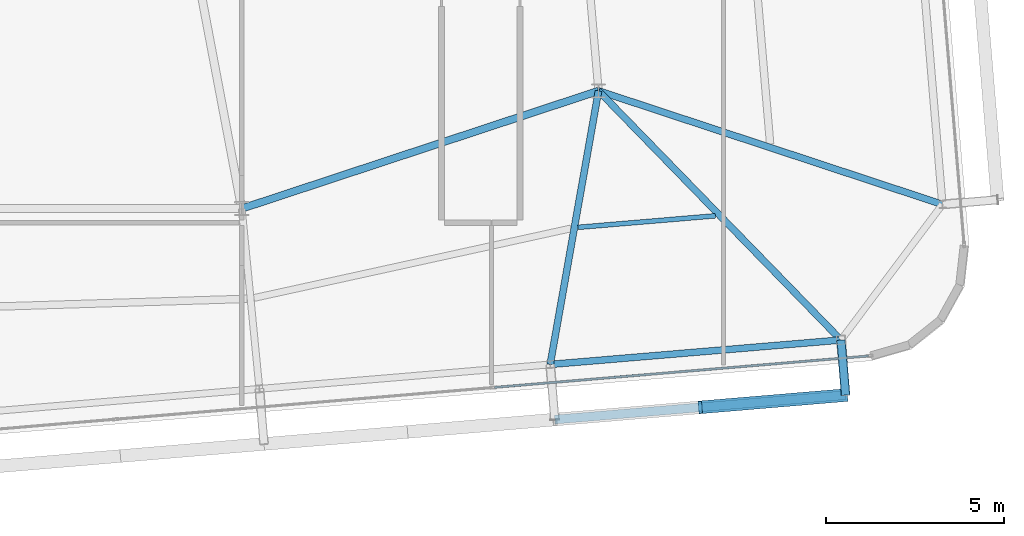
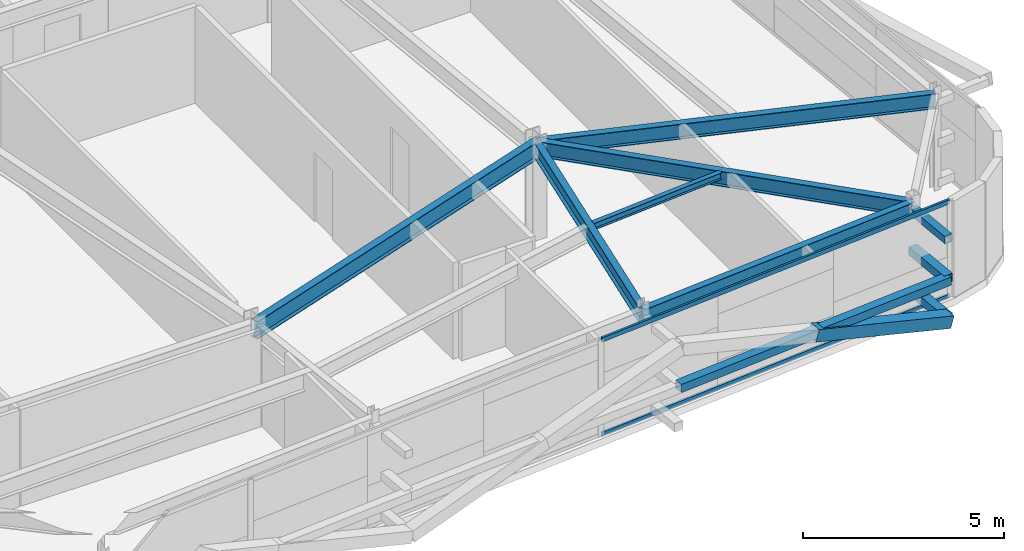
# One storey, part 17 of 39: 7 members, 6 beams, 1 element without a shape of its own.
"""IFC4 building model written with IfcOpenShell, lengths in metres."""

from ifc_helpers import new_model, si_unit, direction, frame, origin, origin_2d, place, context, subcontext, project, spatial, hollow_rectangle, i_section, extrude, source, transform, mapped, material, layer, layer_set, material_profile, profile_set, type_object, element, aggregate, save


model = new_model("IFC4")

# Units and contexts
model_context = context("Model", 3, precision=1e-05, world=origin(), true_north=direction((0.0, 1.0)))
body_context = subcontext(model_context, "Body", "Model", "MODEL_VIEW")
ifc_project = project(units=[si_unit("LENGTHUNIT", "METRE"), si_unit("AREAUNIT", "SQUARE_METRE"), si_unit("VOLUMEUNIT", "CUBIC_METRE"), si_unit("PLANEANGLEUNIT", "RADIAN"), si_unit("MASSUNIT", "GRAM", prefix="KILO")], contexts=[model_context])

# Site, building, storey
site_placement = place(None, origin())
site = spatial("IfcSite", under=ifc_project, at=site_placement, CompositionType="ELEMENT")
building_placement = place(site_placement, origin())
building = spatial("IfcBuilding", under=site, at=building_placement, Name="Taldren Reach Tower", CompositionType="ELEMENT")
storey_placement = place(building_placement, frame((0.0, 0.0, 175.699951171875)))
storey = spatial("IfcBuildingStorey", under=building, at=storey_placement, Name="L53", CompositionType="ELEMENT", Elevation=175.699951171875)

# Beam
ifc_material_1 = material(Name="Steel Gr 350 (350PLUS)", Category="steel")
ifc_material_profile_1 = material_profile(ifc_material_1, i_section(OverallWidth=0.208984375, OverallDepth=0.532958984375, WebThickness=0.01025390625, FlangeThickness=0.015625, at=origin_2d()), Name="530UB92.4")
ifc_profile_set_1 = profile_set([ifc_material_profile_1], Name="Steel Gr 350 (350PLUS)")
beam_type_1 = type_object("IfcBeamType", Name="BM-UB530A", PredefinedType="BEAM", material=ifc_profile_set_1)
shared_shape_1 = source(origin(), body_context, "Body", "SweptSolid", [
    extrude(i_section(OverallWidth=0.208984375, OverallDepth=0.532958984375, WebThickness=0.01025390625, FlangeThickness=0.015625, at=origin_2d()), origin(), (0.0, 0.0, 1.0), 10.530517578125),
])
beam_1_placement = place(storey_placement, frame((42.0, 9.199951171875, 2.66357421875), z_axis=(0.949627269203, 0.313381635689, 0.0), x_axis=(-0.313381635689, 0.949627269203, 0.0)))
element("IfcBeam", 1, at=beam_1_placement, inside=storey, type_object=beam_type_1, Name="Core-spine girder L53-SP12", PredefinedType="BEAM", context=body_context, shape_type="MappedRepresentation", body=[
    mapped(shared_shape_1, transform((0.0, 0.0, 0.0), scale=1.0)),
])

# Members
ifc_material_2 = material(Name="Steel Gr 350 (C350L0)", Category="steel")
ifc_material_profile_2 = material_profile(ifc_material_2, hollow_rectangle(XDim=0.25, YDim=0.25, WallThickness=0.010009765625, at=origin_2d()), Name="250x250x10.0SHS")
ifc_profile_set_2 = profile_set([ifc_material_profile_2], Name="Steel Gr 350 (C350L0)")
member_type_1 = type_object("IfcMemberType", Name="MB-POST250", PredefinedType="POST", material=ifc_profile_set_2)
shared_shape_2 = source(origin(), body_context, "Body", "SweptSolid", [
    extrude(hollow_rectangle(XDim=0.25, YDim=0.25, WallThickness=0.010009765625, at=origin_2d()), origin(), (0.0, 0.0, 1.0), 1.5498046875),
])
for number, where, z_axis, x_axis, name in (
    (2, (58.796142578125, 5.516357421875, 0.219970703125), (0.083801560254, -0.996482462715, 0.0), (0.996482462715, 0.083801560254, 0.0), "Exoskeleton base diaphragm tie strut B4-S6 L53"),
    (3, (58.796142578125, 5.516357421875, 1.43505859375), (0.083801560254, -0.996482462715, 0.0), (0.996482462715, 0.083801560254, 0.0), "Exoskeleton mid-tier diaphragm tie B4-S6 L53"),
):
    element("IfcMember", number, at=place(storey_placement, frame(where, z_axis=z_axis, x_axis=x_axis)), inside=storey, type_object=member_type_1, Name=name, PredefinedType="POST", context=body_context, shape_type="MappedRepresentation", body=[
        mapped(shared_shape_2, transform((0.0, 0.0, 0.0), scale=1.0)),
    ])

# Beams
ifc_material_profile_3 = material_profile(ifc_material_1, i_section(OverallWidth=0.18994140625, OverallDepth=0.4541015625, WebThickness=0.008544921875, FlangeThickness=0.0126953125, at=origin_2d()), Name="460UB67.1")
ifc_profile_set_3 = profile_set([ifc_material_profile_3], Name="Steel Gr 350 (350PLUS)")
beam_type_2 = type_object("IfcBeamType", Name="SP-UB460B", PredefinedType="SPANDREL", material=ifc_profile_set_3)
shared_shape_3 = source(origin(), body_context, "Body", "SweptSolid", [
    extrude(i_section(OverallWidth=0.18994140625, OverallDepth=0.4541015625, WebThickness=0.008544921875, FlangeThickness=0.0126953125, at=origin_2d()), origin(), (0.0, 0.0, 1.0), 8.179931640625),
])
beam_2_placement = place(storey_placement, frame((50.644775390625, 4.83203125, 2.703125), z_axis=(0.996494523218, 0.083658025296, 0.0), x_axis=(-0.083658025296, 0.996494523218, 0.0)))
element("IfcBeam", 4, at=beam_2_placement, inside=storey, type_object=beam_type_2, Name="Perimeter spandrel B4 S5-S6 L53", PredefinedType="SPANDREL", context=body_context, shape_type="MappedRepresentation", body=[
    mapped(shared_shape_3, transform((0.0, 0.0, 0.0), scale=1.0)),
])
ifc_material_profile_4 = material_profile(ifc_material_1, i_section(OverallWidth=0.19091796875, OverallDepth=0.4599609375, WebThickness=0.010009765625, FlangeThickness=0.01611328125, at=origin_2d()), Name="460UB82.1")
ifc_profile_set_4 = profile_set([ifc_material_profile_4], Name="Steel Gr 350 (350PLUS)")
beam_type_3 = type_object("IfcBeamType", Name="BM-UB460A", PredefinedType="BEAM", material=ifc_profile_set_4)
shared_shape_4 = source(origin(), body_context, "Body", "SweptSolid", [
    extrude(i_section(OverallWidth=0.19091796875, OverallDepth=0.4599609375, WebThickness=0.010009765625, FlangeThickness=0.01611328125, at=origin_2d()), origin(), (0.0, 0.0, 1.0), 7.786865234375),
])
beam_3_placement = place(storey_placement, frame((52.0, 12.5, 2.699951171875), z_axis=(-0.174041097858, -0.984738389755, 0.0), x_axis=(0.984738389755, -0.174041097858, 0.0)))
element("IfcBeam", 5, at=beam_3_placement, inside=storey, type_object=beam_type_3, Name="Primary floor girder B4-S5 L53", PredefinedType="BEAM", context=body_context, shape_type="MappedRepresentation", body=[
    mapped(shared_shape_4, transform((0.0, 0.0, 0.0), scale=1.0)),
])
shared_shape_5 = source(origin(), body_context, "Body", "SweptSolid", [
    extrude(i_section(OverallWidth=0.19091796875, OverallDepth=0.4599609375, WebThickness=0.010009765625, FlangeThickness=0.01611328125, at=origin_2d()), origin(), (0.0, 0.0, 1.0), 9.74462890625),
])
beam_4_placement = place(storey_placement, frame((52.0, 12.5, 2.699951171875), z_axis=(0.697420698235, -0.716661963323, 0.0), x_axis=(0.716661963323, 0.697420698235, 0.0)))
element("IfcBeam", 6, at=beam_4_placement, inside=storey, type_object=beam_type_3, Name="Primary floor girder B4-S6 L53", PredefinedType="BEAM", context=body_context, shape_type="MappedRepresentation", body=[
    mapped(shared_shape_5, transform((0.0, 0.0, 0.0), scale=1.0)),
])
shared_shape_6 = source(origin(), body_context, "Body", "SweptSolid", [
    extrude(i_section(OverallWidth=0.19091796875, OverallDepth=0.4599609375, WebThickness=0.010009765625, FlangeThickness=0.01611328125, at=origin_2d()), origin(), (0.0, 0.0, 1.0), 10.14990234375),
])
beam_5_placement = place(storey_placement, frame((52.0, 12.5, 2.699951171875), z_axis=(0.949576668396, -0.313534927619, 0.0), x_axis=(0.313534927619, 0.949576668396, 0.0)))
element("IfcBeam", 7, at=beam_5_placement, inside=storey, type_object=beam_type_3, Name="Primary floor girder B4-E1 L53", PredefinedType="BEAM", context=body_context, shape_type="MappedRepresentation", body=[
    mapped(shared_shape_6, transform((0.0, 0.0, 0.0), scale=1.0)),
])
ifc_material_3 = material(Name="Steel Gr 300 (300PLUS, 300 MPa)", Category="steel")
ifc_material_profile_5 = material_profile(ifc_material_3, i_section(OverallWidth=0.134033203125, OverallDepth=0.20703125, WebThickness=0.00634765625, FlangeThickness=0.009521484375, at=origin_2d()), Name="200UB29.8")
ifc_profile_set_5 = profile_set([ifc_material_profile_5], Name="Steel Gr 300 (300PLUS, 300 MPa)")
beam_type_4 = type_object("IfcBeamType", Name="JS-UB200", PredefinedType="JOIST", material=ifc_profile_set_5)
shared_shape_7 = source(origin(), body_context, "Body", "SweptSolid", [
    extrude(i_section(OverallWidth=0.134033203125, OverallDepth=0.20703125, WebThickness=0.00634765625, FlangeThickness=0.009521484375, at=origin_2d()), origin(), (0.0, 0.0, 1.0), 3.86767578125),
])
beam_6_placement = place(storey_placement, frame((51.4208984375, 8.67431640625, 2.82666015625), z_axis=(0.996495950743, 0.083641019557, 0.0), x_axis=(-0.083641019557, 0.996495950743, 0.0)))
element("IfcBeam", 8, at=beam_6_placement, inside=storey, type_object=beam_type_4, Name="Secondary floor joist B4 J5 L53", PredefinedType="JOIST", context=body_context, shape_type="MappedRepresentation", body=[
    mapped(shared_shape_7, transform((0.0, 0.0, 0.0), scale=1.0)),
])

# Members
ifc_material_4 = material(Name="Steel Gr 450 (C450L0)", Category="steel")
ifc_material_profile_6 = material_profile(ifc_material_4, hollow_rectangle(XDim=0.219970703125, YDim=0.219970703125, WallThickness=0.00830078125, at=origin_2d()), Name="220x220x8.2SHS")
ifc_profile_set_6 = profile_set([ifc_material_profile_6], Name="Steel Gr 450 (C450L0)")
member_type_2 = type_object("IfcMemberType", Name="MB-TIE219", PredefinedType="STRUT", material=ifc_profile_set_6)
shared_shape_8 = source(origin(), body_context, "Body", "SweptSolid", [
    extrude(hollow_rectangle(XDim=0.219970703125, YDim=0.219970703125, WallThickness=0.00830078125, at=origin_2d()), origin(), (0.0, 0.0, 1.0), 1.5498046875),
])
member_1_placement = place(storey_placement, frame((58.796142578125, 5.516357421875, 2.650146484375), z_axis=(0.083801560254, -0.996482462715, 0.0), x_axis=(0.996482462715, 0.083801560254, 0.0)))
element("IfcMember", 9, at=member_1_placement, inside=storey, type_object=member_type_2, Name="Exoskeleton diaphragm tie strut B4-S6 L53", PredefinedType="STRUT", context=body_context, shape_type="MappedRepresentation", body=[
    mapped(shared_shape_8, transform((0.0, 0.0, 0.0), scale=1.0)),
])
shared_shape_9 = source(origin(), body_context, "Body", "SweptSolid", [
    extrude(hollow_rectangle(XDim=0.25, YDim=0.25, WallThickness=0.010009765625, at=origin_2d()), origin(), (0.0, 0.0, 1.0), 8.18017578125),
])
member_2_placement = place(storey_placement, frame((50.774658203125, 3.287353515625, 1.43505859375), z_axis=(0.996492034688, 0.083687662192, 0.0), x_axis=(-0.083687662192, 0.996492034688, 0.0)))
element("IfcMember", 10, at=member_2_placement, inside=storey, type_object=member_type_1, Name="Exoskeleton mid-height ring chord B4-S5 L53", PredefinedType="POST", context=body_context, shape_type="MappedRepresentation", body=[
    mapped(shared_shape_9, transform((0.0, 0.0, 0.0), scale=1.0)),
])
ifc_material_profile_7 = material_profile(ifc_material_4, hollow_rectangle(XDim=0.360107421875, YDim=0.360107421875, WallThickness=0.0126953125, at=origin_2d()), Name="360x360x12.7SHS")
ifc_profile_set_7 = profile_set([ifc_material_profile_7], Name="Steel Gr 450 (C450L0)")
member_type_3 = type_object("IfcMemberType", Name="MB-EXO356", PredefinedType="BRACE", material=ifc_profile_set_7)
shared_shape_10 = source(origin(), body_context, "Body", "SweptSolid", [
    extrude(hollow_rectangle(XDim=0.360107421875, YDim=0.360107421875, WallThickness=0.0126953125, at=origin_2d()), origin(), (0.0, 0.0, 1.0), 4.2666015625),
])
member_3_placement = place(storey_placement, frame((58.926025390625, 3.971923828125, 0.219970703125), z_axis=(-0.955229159097, -0.080222312271, 0.284783486572), x_axis=(0.083687662192, -0.996492034688, 0.0)))
element("IfcMember", 11, at=member_3_placement, inside=storey, type_object=member_type_3, Name="Exoskeleton Diagrid Brace B4-S5 L53", PredefinedType="BRACE", context=body_context, shape_type="MappedRepresentation", body=[
    mapped(shared_shape_10, transform((0.0, 0.0, 0.0), scale=1.0)),
])

# Curtain wall, members
ifc_material_5 = material(Name="Aluminium and Low-E Glass Unitised System", Category="aluminium")
ifc_layer = layer(ifc_material_5, 0.159912109375)
ifc_layer_set = layer_set([ifc_layer], Name="Aluminium and Low-E Glass Unitised System")
curtain_wall_type = type_object("IfcCurtainWallType", Name="CW-SYS-5", PredefinedType="NOTDEFINED", material=ifc_layer_set)
curtain_wall_placement = place(storey_placement, origin())
curtain_wall = element("IfcCurtainWall", 12, at=curtain_wall_placement, inside=storey, type_object=curtain_wall_type, Name="Unitised curtain wall CW-L53-S", PredefinedType="NOTDEFINED")
ifc_material_6 = material(Name="Anodised Aluminium 6063-T6", Category="aluminium")
ifc_material_profile_8 = material_profile(ifc_material_6, hollow_rectangle(XDim=0.06005859375, YDim=0.135009765625, WallThickness=0.00341796875, at=origin_2d()), Name="ALU-135x60x3.5RHS")
ifc_profile_set_8 = profile_set([ifc_material_profile_8], Name="Anodised Aluminium 6063-T6")
member_type_4 = type_object("IfcMemberType", Name="CW-TRN-150", PredefinedType="USERDEFINED", material=ifc_profile_set_8)
shared_shape_11 = source(origin(), body_context, "Body", "SweptSolid", [
    extrude(hollow_rectangle(XDim=0.06005859375, YDim=0.135009765625, WallThickness=0.00341796875, at=origin_2d()), origin(), (0.0, 0.0, 1.0), 10.52001953125),
])
member_4_placement = place(storey_placement, frame((49.083251953125, 4.18896484375, 0.030029296875), z_axis=(0.996492256575, 0.08368502008, 0.0), x_axis=(-0.08368502008, 0.996492256575, 0.0)))
member_4 = element("IfcMember", 13, at=member_4_placement, type_object=member_type_4, Name="CW-5 transom 4.1", ObjectType="TRANSOM", PredefinedType="USERDEFINED", context=body_context, shape_type="MappedRepresentation", body=[
    mapped(shared_shape_11, transform((0.0, 0.0, 0.0), scale=1.0)),
])
member_5_placement = place(storey_placement, frame((49.083251953125, 4.18896484375, 2.900146484375), z_axis=(0.996492256575, 0.08368502008, 0.0), x_axis=(-0.08368502008, 0.996492256575, 0.0)))
member_5 = element("IfcMember", 14, at=member_5_placement, type_object=member_type_4, Name="CW-5 transom 4.2", ObjectType="TRANSOM", PredefinedType="USERDEFINED", context=body_context, shape_type="MappedRepresentation", body=[
    mapped(shared_shape_11, transform((0.0, 0.0, 0.0), scale=1.0)),
])
aggregate(curtain_wall, [member_4, member_5])

save(model, "model.ifc")
